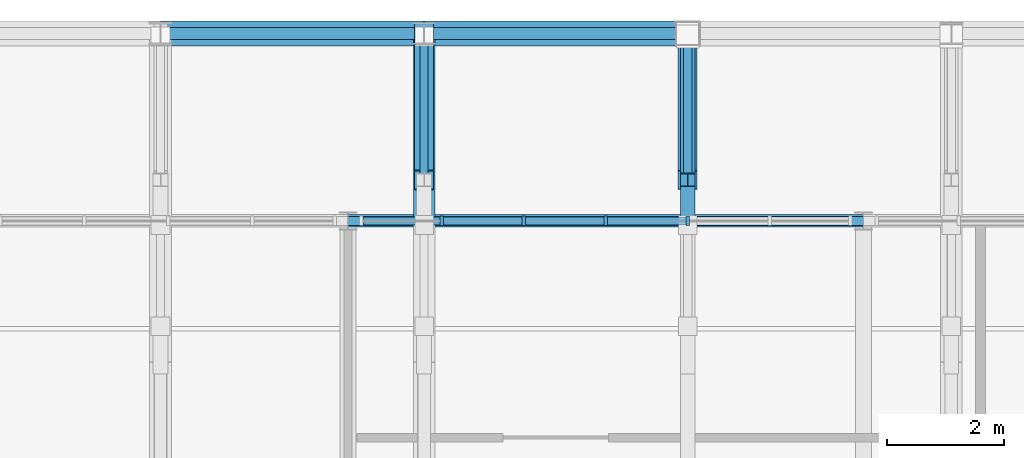
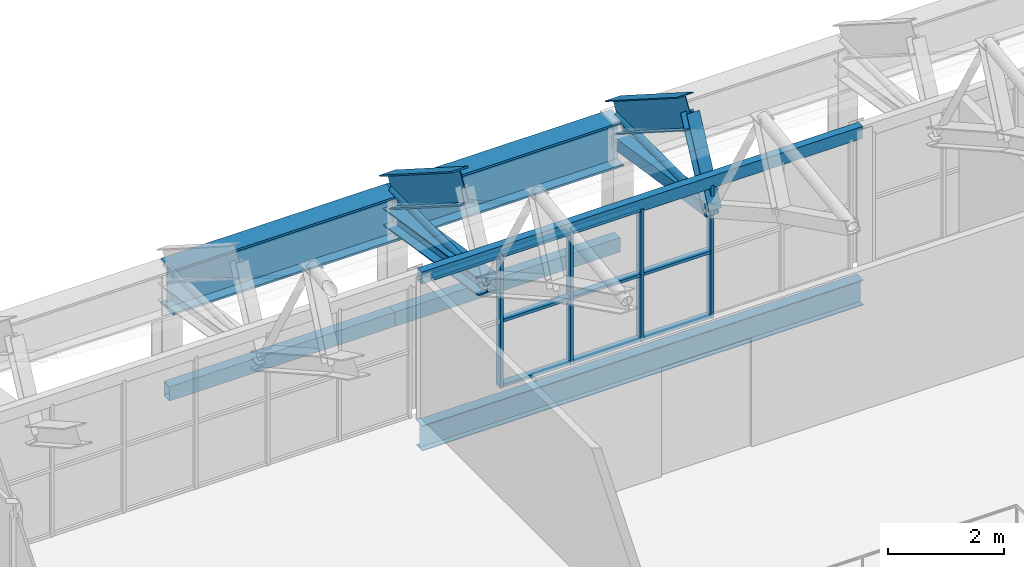
# One storey, part 58 of 134: 19 members, 8 beams, 1 element without a shape of its own.
"""IFC4 building model written with IfcOpenShell, lengths in metres."""

from ifc_helpers import new_model, si_unit, direction, frame, origin, origin_2d, place, context, subcontext, project, spatial, rectangle, hollow_rectangle, hollow_circle, i_section, extrude, material, layer, layer_set, material_profile, profile_set, type_object, element, aggregate, save


model = new_model("IFC4")

# Units and contexts
model_context = context("Model", 3, precision=1e-05, world=origin(), true_north=direction((0.0, 1.0)))
body_context = subcontext(model_context, "Body", "Model", "MODEL_VIEW")
ifc_project = project(units=[si_unit("LENGTHUNIT", "METRE"), si_unit("AREAUNIT", "SQUARE_METRE"), si_unit("VOLUMEUNIT", "CUBIC_METRE"), si_unit("PLANEANGLEUNIT", "RADIAN"), si_unit("MASSUNIT", "GRAM", prefix="KILO")], contexts=[model_context])

# Site, building, storey
site_placement = place(None, origin())
site = spatial("IfcSite", under=ifc_project, at=site_placement, CompositionType="ELEMENT")
building_placement = place(site_placement, origin())
building = spatial("IfcBuilding", under=site, at=building_placement, Name="Cazmaro Siding Exhibition Halls", CompositionType="ELEMENT")
storey_placement = place(building_placement, frame((0.0, 0.0, 12.0)))
storey = spatial("IfcBuildingStorey", under=building, at=storey_placement, Name="L02", CompositionType="ELEMENT", Elevation=12.0)

# Beams
ifc_material_1 = material(Name="Steel ASTM A992 Grade 50", Category="steel")
ifc_material_profile_1 = material_profile(ifc_material_1, i_section(OverallWidth=0.327880859375, OverallDepth=0.626953125, WebThickness=0.01708984375, FlangeThickness=0.028076171875, at=origin_2d()), Name="W24X146")
ifc_profile_set_1 = profile_set([ifc_material_profile_1], Name="Steel ASTM A992 Grade 50")
beam_type_1 = type_object("IfcBeamType", Name="AR-01", PredefinedType="USERDEFINED", material=ifc_profile_set_1)
beam_1_placement = place(storey_placement, frame((58.5, 121.5, 3.89306640625), z_axis=(0.0, 0.843339173298, -0.537381650954), x_axis=(-1.0, 0.0, 0.0)))
element("IfcBeam", 1, at=beam_1_placement, inside=storey, type_object=beam_type_1, Name="Space frame barrel vault arched rib AR-01 BM-0630", ObjectType="ARCHED RIB", PredefinedType="USERDEFINED", context=body_context, shape_type="SweptSolid", body=[
    extrude(i_section(OverallWidth=0.327880859375, OverallDepth=0.626953125, WebThickness=0.01708984375, FlangeThickness=0.028076171875, at=origin_2d()), origin(), (0.0, 0.0, 1.0), 2.96435546875),
])
ifc_material_2 = material(Name="Steel ASTM A992 Grade 50", Category="steel")
ifc_material_profile_2 = material_profile(ifc_material_2, i_section(OverallWidth=0.324951171875, OverallDepth=0.612060546875, WebThickness=0.012939453125, FlangeThickness=0.01904296875, at=origin_2d()), Name="W24X104")
ifc_profile_set_2 = profile_set([ifc_material_profile_2], Name="Steel ASTM A992 Grade 50")
beam_type_2 = type_object("IfcBeamType", Name="AR-02", PredefinedType="USERDEFINED", material=ifc_profile_set_2)
beam_2_placement = place(storey_placement, frame((63.0, 121.5, 3.89306640625), z_axis=(0.0, 0.843339173298, -0.537381650954), x_axis=(-1.0, 0.0, 0.0)))
element("IfcBeam", 2, at=beam_2_placement, inside=storey, type_object=beam_type_2, Name="Space frame barrel vault arched rib AR-02 BM-0654", ObjectType="ARCHED RIB", PredefinedType="USERDEFINED", context=body_context, shape_type="SweptSolid", body=[
    extrude(i_section(OverallWidth=0.324951171875, OverallDepth=0.612060546875, WebThickness=0.012939453125, FlangeThickness=0.01904296875, at=origin_2d()), origin(), (0.0, 0.0, 1.0), 2.96435546875),
])
ifc_material_3 = material(Name="Steel ASTM A992 Grade 50", Category="steel")
ifc_material_profile_3 = material_profile(ifc_material_3, i_section(OverallWidth=0.2099609375, OverallDepth=0.535888671875, WebThickness=0.010986328125, FlangeThickness=0.01708984375, at=origin_2d()), Name="W21X68")
ifc_profile_set_3 = profile_set([ifc_material_profile_3], Name="Steel ASTM A992 Grade 50")
beam_type_3 = type_object("IfcBeamType", Name="B-02", PredefinedType="BEAM", material=ifc_profile_set_3)
beam_3_placement = place(storey_placement, frame((57.199951171875, 120.800048828125, -0.488037109375), z_axis=(1.0, 0.0, 0.0), x_axis=(0.0, 1.0, 0.0)))
element("IfcBeam", 3, at=beam_3_placement, inside=storey, type_object=beam_type_3, Name="Beam B-02 BM-0402", PredefinedType="BEAM", context=body_context, shape_type="SweptSolid", body=[
    extrude(i_section(OverallWidth=0.2099609375, OverallDepth=0.535888671875, WebThickness=0.010986328125, FlangeThickness=0.01708984375, at=origin_2d()), origin(), (0.0, 0.0, 1.0), 8.800048828125),
])

# Curtain wall, members
ifc_material_4 = material(Name="Anodized Bronze Aluminum and Solar-Control Low-E Glazing", Category="aluminium")
ifc_layer = layer(ifc_material_4, 0.159912109375)
ifc_layer_set = layer_set([ifc_layer], Name="Anodized Bronze Aluminum and Solar-Control Low-E Glazing")
curtain_wall_type = type_object("IfcCurtainWallType", Name="CWS-04", PredefinedType="USERDEFINED", material=ifc_layer_set)
curtain_wall_placement = place(storey_placement, origin())
curtain_wall = element("IfcCurtainWall", 4, at=curtain_wall_placement, inside=storey, type_object=curtain_wall_type, Name="Clerestory Curtain Wall CWS-04 CW-007", ObjectType="CLERESTORY CURTAIN WALL", PredefinedType="USERDEFINED")
ifc_material_5 = material(Name="Anodized Bronze Extruded Aluminum", Category="aluminium")
ifc_material_profile_4 = material_profile(ifc_material_5, rectangle(XDim=0.159912109375, YDim=0.06005859375, at=origin_2d()), Name="CWM-04")
ifc_profile_set_4 = profile_set([ifc_material_profile_4], Name="Anodized Bronze Extruded Aluminum")
member_type_1 = type_object("IfcMemberType", Name="CWM-04", PredefinedType="MULLION", material=ifc_profile_set_4)
member_1_placement = place(storey_placement, frame((63.0009765625, 120.800048828125, 0.0), z_axis=(0.0, 0.0, 1.0), x_axis=(0.0, -1.0, 0.0)))
member_1 = element("IfcMember", 5, at=member_1_placement, type_object=member_type_1, Name="CWS-04 mullion 3", PredefinedType="MULLION", context=body_context, shape_type="SweptSolid", body=[
    extrude(rectangle(XDim=0.159912109375, YDim=0.06005859375, at=origin_2d()), origin(), (0.0, 0.0, 1.0), 2.800048828125),
])
member_2_placement = place(storey_placement, frame((61.60009765625, 120.800048828125, 0.0), z_axis=(0.0, 0.0, 1.0), x_axis=(0.0, -1.0, 0.0)))
member_2 = element("IfcMember", 6, at=member_2_placement, type_object=member_type_1, Name="CWS-04 mullion 4", PredefinedType="MULLION", context=body_context, shape_type="SweptSolid", body=[
    extrude(rectangle(XDim=0.159912109375, YDim=0.06005859375, at=origin_2d()), origin(), (0.0, 0.0, 1.0), 2.800048828125),
])
member_3_placement = place(storey_placement, frame((60.198974609375, 120.800048828125, 0.0), z_axis=(0.0, 0.0, 1.0), x_axis=(0.0, -1.0, 0.0)))
member_3 = element("IfcMember", 7, at=member_3_placement, type_object=member_type_1, Name="CWS-04 mullion 5", PredefinedType="MULLION", context=body_context, shape_type="SweptSolid", body=[
    extrude(rectangle(XDim=0.159912109375, YDim=0.06005859375, at=origin_2d()), origin(), (0.0, 0.0, 1.0), 2.800048828125),
])
member_4_placement = place(storey_placement, frame((58.798095703125, 120.800048828125, 0.0), z_axis=(0.0, 0.0, 1.0), x_axis=(0.0, -1.0, 0.0)))
member_4 = element("IfcMember", 8, at=member_4_placement, type_object=member_type_1, Name="CWS-04 mullion 6", PredefinedType="MULLION", context=body_context, shape_type="SweptSolid", body=[
    extrude(rectangle(XDim=0.159912109375, YDim=0.06005859375, at=origin_2d()), origin(), (0.0, 0.0, 1.0), 2.800048828125),
])
ifc_material_6 = material(Name="Anodized Bronze Extruded Aluminum", Category="aluminium")
ifc_material_profile_5 = material_profile(ifc_material_6, rectangle(XDim=0.139892578125, YDim=0.06005859375, at=origin_2d()), Name="CWT-04")
ifc_profile_set_5 = profile_set([ifc_material_profile_5], Name="Anodized Bronze Extruded Aluminum")
member_type_2 = type_object("IfcMemberType", Name="CWT-04", PredefinedType="MULLION", material=ifc_profile_set_5)
member_5_placement = place(storey_placement, frame((62.970947265625, 120.800048828125, 0.030029296875), z_axis=(-1.0, 0.0, 0.0), x_axis=(0.0, -1.0, 0.0)))
member_5 = element("IfcMember", 9, at=member_5_placement, type_object=member_type_2, Name="CWS-04 transom 3.1", ObjectType="TRANSOM", PredefinedType="USERDEFINED", context=body_context, shape_type="SweptSolid", body=[
    extrude(rectangle(XDim=0.139892578125, YDim=0.06005859375, at=origin_2d()), origin(), (0.0, 0.0, 1.0), 1.341064453125),
])
member_6_placement = place(storey_placement, frame((62.970947265625, 120.800048828125, 1.39990234375), z_axis=(-1.0, 0.0, 0.0), x_axis=(0.0, -1.0, 0.0)))
member_6 = element("IfcMember", 10, at=member_6_placement, type_object=member_type_2, Name="CWS-04 transom 3.2", ObjectType="TRANSOM", PredefinedType="USERDEFINED", context=body_context, shape_type="SweptSolid", body=[
    extrude(rectangle(XDim=0.139892578125, YDim=0.06005859375, at=origin_2d()), origin(), (0.0, 0.0, 1.0), 1.341064453125),
])
member_7_placement = place(storey_placement, frame((62.970947265625, 120.800048828125, 2.77001953125), z_axis=(-1.0, 0.0, 0.0), x_axis=(0.0, -1.0, 0.0)))
member_7 = element("IfcMember", 11, at=member_7_placement, type_object=member_type_2, Name="CWS-04 transom 3.3", ObjectType="TRANSOM", PredefinedType="USERDEFINED", context=body_context, shape_type="SweptSolid", body=[
    extrude(rectangle(XDim=0.139892578125, YDim=0.06005859375, at=origin_2d()), origin(), (0.0, 0.0, 1.0), 1.341064453125),
])
member_8_placement = place(storey_placement, frame((61.570068359375, 120.800048828125, 0.030029296875), z_axis=(-1.0, 0.0, 0.0), x_axis=(0.0, -1.0, 0.0)))
member_8 = element("IfcMember", 12, at=member_8_placement, type_object=member_type_2, Name="CWS-04 transom 4.1", ObjectType="TRANSOM", PredefinedType="USERDEFINED", context=body_context, shape_type="SweptSolid", body=[
    extrude(rectangle(XDim=0.139892578125, YDim=0.06005859375, at=origin_2d()), origin(), (0.0, 0.0, 1.0), 1.341064453125),
])
member_9_placement = place(storey_placement, frame((61.570068359375, 120.800048828125, 1.39990234375), z_axis=(-1.0, 0.0, 0.0), x_axis=(0.0, -1.0, 0.0)))
member_9 = element("IfcMember", 13, at=member_9_placement, type_object=member_type_2, Name="CWS-04 transom 4.2", ObjectType="TRANSOM", PredefinedType="USERDEFINED", context=body_context, shape_type="SweptSolid", body=[
    extrude(rectangle(XDim=0.139892578125, YDim=0.06005859375, at=origin_2d()), origin(), (0.0, 0.0, 1.0), 1.341064453125),
])
member_10_placement = place(storey_placement, frame((61.570068359375, 120.800048828125, 2.77001953125), z_axis=(-1.0, 0.0, 0.0), x_axis=(0.0, -1.0, 0.0)))
member_10 = element("IfcMember", 14, at=member_10_placement, type_object=member_type_2, Name="CWS-04 transom 4.3", ObjectType="TRANSOM", PredefinedType="USERDEFINED", context=body_context, shape_type="SweptSolid", body=[
    extrude(rectangle(XDim=0.139892578125, YDim=0.06005859375, at=origin_2d()), origin(), (0.0, 0.0, 1.0), 1.341064453125),
])
member_11_placement = place(storey_placement, frame((60.1689453125, 120.800048828125, 0.030029296875), z_axis=(-1.0, 0.0, 0.0), x_axis=(0.0, -1.0, 0.0)))
member_11 = element("IfcMember", 15, at=member_11_placement, type_object=member_type_2, Name="CWS-04 transom 5.1", ObjectType="TRANSOM", PredefinedType="USERDEFINED", context=body_context, shape_type="SweptSolid", body=[
    extrude(rectangle(XDim=0.139892578125, YDim=0.06005859375, at=origin_2d()), origin(), (0.0, 0.0, 1.0), 1.341064453125),
])
member_12_placement = place(storey_placement, frame((60.1689453125, 120.800048828125, 1.39990234375), z_axis=(-1.0, 0.0, 0.0), x_axis=(0.0, -1.0, 0.0)))
member_12 = element("IfcMember", 16, at=member_12_placement, type_object=member_type_2, Name="CWS-04 transom 5.2", ObjectType="TRANSOM", PredefinedType="USERDEFINED", context=body_context, shape_type="SweptSolid", body=[
    extrude(rectangle(XDim=0.139892578125, YDim=0.06005859375, at=origin_2d()), origin(), (0.0, 0.0, 1.0), 1.341064453125),
])
member_13_placement = place(storey_placement, frame((60.1689453125, 120.800048828125, 2.77001953125), z_axis=(-1.0, 0.0, 0.0), x_axis=(0.0, -1.0, 0.0)))
member_13 = element("IfcMember", 17, at=member_13_placement, type_object=member_type_2, Name="CWS-04 transom 5.3", ObjectType="TRANSOM", PredefinedType="USERDEFINED", context=body_context, shape_type="SweptSolid", body=[
    extrude(rectangle(XDim=0.139892578125, YDim=0.06005859375, at=origin_2d()), origin(), (0.0, 0.0, 1.0), 1.341064453125),
])
member_14_placement = place(storey_placement, frame((58.76806640625, 120.800048828125, 2.77001953125), z_axis=(-1.0, 0.0, 0.0), x_axis=(0.0, -1.0, 0.0)))
member_14 = element("IfcMember", 18, at=member_14_placement, type_object=member_type_2, Name="CWS-04 transom 6.3", ObjectType="TRANSOM", PredefinedType="USERDEFINED", context=body_context, shape_type="SweptSolid", body=[
    extrude(rectangle(XDim=0.139892578125, YDim=0.06005859375, at=origin_2d()), origin(), (0.0, 0.0, 1.0), 1.31103515625),
])
aggregate(curtain_wall, [member_1, member_2, member_3, member_4, member_5, member_6, member_7, member_8, member_9, member_10, member_11, member_12, member_13, member_14])

# Beams
ifc_material_7 = material(Name="Steel ASTM A992 Grade 50", Category="steel")
ifc_material_profile_6 = material_profile(ifc_material_7, i_section(OverallWidth=0.424072265625, OverallDepth=0.947021484375, WebThickness=0.02392578125, FlangeThickness=0.04296875, at=origin_2d()), Name="W36X302")
ifc_profile_set_6 = profile_set([ifc_material_profile_6], Name="Steel ASTM A992 Grade 50")
beam_type_4 = type_object("IfcBeamType", Name="G-01", PredefinedType="USERDEFINED", material=ifc_profile_set_6)
for number, where, z_axis, x_axis, name in (
    (19, (54.0, 124.0, 1.826904296875), (1.0, 0.0, 0.0), (0.0, 1.0, 0.0), "Beam G-01 BM-0078"),
    (20, (58.5, 124.0, 1.826904296875), (1.0, 0.0, 0.0), (0.0, 1.0, 0.0), "Beam G-01 BM-0084"),
):
    element("IfcBeam", number, at=place(storey_placement, frame(where, z_axis=z_axis, x_axis=x_axis)), inside=storey, type_object=beam_type_4, Name=name, ObjectType="GIRDER", PredefinedType="USERDEFINED", context=body_context, shape_type="SweptSolid", body=[
        extrude(i_section(OverallWidth=0.424072265625, OverallDepth=0.947021484375, WebThickness=0.02392578125, FlangeThickness=0.04296875, at=origin_2d()), origin(), (0.0, 0.0, 1.0), 4.5),
    ])
ifc_material_8 = material(Name="Steel ASTM A500 Grade C", Category="steel")
ifc_material_profile_7 = material_profile(ifc_material_8, hollow_rectangle(XDim=0.202880859375, YDim=0.304931640625, WallThickness=0.011962890625, at=origin_2d()), Name="HSS12X8X1/2")
ifc_profile_set_7 = profile_set([ifc_material_profile_7], Name="Steel ASTM A500 Grade C")
beam_type_5 = type_object("IfcBeamType", Name="SP-01", PredefinedType="SPANDREL", material=ifc_profile_set_7)
for number, where, z_axis, x_axis, name in (
    (21, (54.0, 124.0, -0.373046875), (1.0, 0.0, 0.0), (0.0, 1.0, 0.0), "Beam SP-01 BM-0077"),
    (22, (58.5, 124.0, -0.373046875), (1.0, 0.0, 0.0), (0.0, 1.0, 0.0), "Beam SP-01 BM-0083"),
):
    element("IfcBeam", number, at=place(storey_placement, frame(where, z_axis=z_axis, x_axis=x_axis)), inside=storey, type_object=beam_type_5, Name=name, PredefinedType="SPANDREL", context=body_context, shape_type="SweptSolid", body=[
        extrude(hollow_rectangle(XDim=0.202880859375, YDim=0.304931640625, WallThickness=0.011962890625, at=origin_2d()), origin(), (0.0, 0.0, 1.0), 4.5),
    ])
ifc_material_9 = material(Name="Steel ASTM A500 Grade C", Category="steel")
ifc_material_profile_8 = material_profile(ifc_material_9, hollow_rectangle(XDim=0.152099609375, YDim=0.25390625, WallThickness=0.011962890625, at=origin_2d()), Name="HSS10X6X1/2")
ifc_profile_set_8 = profile_set([ifc_material_profile_8], Name="Steel ASTM A500 Grade C")
beam_type_6 = type_object("IfcBeamType", Name="SP-02", PredefinedType="SPANDREL", material=ifc_profile_set_8)
beam_4_placement = place(storey_placement, frame((57.199951171875, 120.800048828125, 2.873046875), z_axis=(1.0, 0.0, 0.0), x_axis=(0.0, 1.0, 0.0)))
element("IfcBeam", 23, at=beam_4_placement, inside=storey, type_object=beam_type_6, Name="Beam SP-02 BM-0230", PredefinedType="SPANDREL", context=body_context, shape_type="SweptSolid", body=[
    extrude(hollow_rectangle(XDim=0.152099609375, YDim=0.25390625, WallThickness=0.011962890625, at=origin_2d()), origin(), (0.0, 0.0, 1.0), 8.800048828125),
])

# Members
ifc_material_10 = material(Name="Steel ASTM A500 Grade C", Category="steel")
ifc_material_profile_9 = material_profile(ifc_material_10, hollow_rectangle(XDim=0.25390625, YDim=0.25390625, WallThickness=0.014892578125, at=origin_2d()), Name="HSS10X10X5/8")
ifc_profile_set_9 = profile_set([ifc_material_profile_9], Name="Steel ASTM A500 Grade C")
member_type_3 = type_object("IfcMemberType", Name="TC-01", PredefinedType="CHORD", material=ifc_profile_set_9)
member_15_placement = place(storey_placement, frame((63.0, 120.72900390625, 2.305908203125), z_axis=(0.0, 0.988252010809, -0.152833121839), x_axis=(-1.0, 0.0, 0.0)))
element("IfcMember", 24, at=member_15_placement, inside=storey, type_object=member_type_3, Name="Space frame barrel vault bottom chord TC-01 MEM-0283", PredefinedType="CHORD", context=body_context, shape_type="SweptSolid", body=[
    extrude(hollow_rectangle(XDim=0.25390625, YDim=0.25390625, WallThickness=0.014892578125, at=origin_2d()), origin(), (0.0, 0.0, 1.0), 3.309814453125),
])
ifc_material_11 = material(Name="Steel ASTM A992 Grade 50", Category="steel")
ifc_material_profile_10 = material_profile(ifc_material_11, i_section(OverallWidth=0.37109375, OverallDepth=0.364013671875, WebThickness=0.012939453125, FlangeThickness=0.02197265625, at=origin_2d()), Name="W14X109")
ifc_profile_set_10 = profile_set([ifc_material_profile_10], Name="Steel ASTM A992 Grade 50")
member_type_4 = type_object("IfcMemberType", Name="TC-06", PredefinedType="CHORD", material=ifc_profile_set_10)
member_16_placement = place(storey_placement, frame((58.5, 120.72900390625, 2.305908203125), z_axis=(0.0, 0.988252010809, -0.152833121839), x_axis=(-1.0, 0.0, 0.0)))
element("IfcMember", 25, at=member_16_placement, inside=storey, type_object=member_type_4, Name="Space frame barrel vault bottom chord TC-06 MEM-0212", PredefinedType="CHORD", context=body_context, shape_type="SweptSolid", body=[
    extrude(i_section(OverallWidth=0.37109375, OverallDepth=0.364013671875, WebThickness=0.012939453125, FlangeThickness=0.02197265625, at=origin_2d()), origin(), (0.0, 0.0, 1.0), 3.309814453125),
])
ifc_material_12 = material(Name="Steel ASTM A992 Grade 50", Category="steel")
ifc_material_profile_11 = material_profile(ifc_material_12, i_section(OverallWidth=0.25390625, OverallDepth=0.25390625, WebThickness=0.009033203125, FlangeThickness=0.013916015625, at=origin_2d()), Name="W10X49")
ifc_profile_set_11 = profile_set([ifc_material_profile_11], Name="Steel ASTM A992 Grade 50")
member_type_5 = type_object("IfcMemberType", Name="TP-04", PredefinedType="POST", material=ifc_profile_set_11)
member_17_placement = place(storey_placement, frame((63.0, 120.72900390625, 2.305908203125), z_axis=(0.0, 0.436945543824, 0.89948796086), x_axis=(-1.0, 0.0, 0.0)))
element("IfcMember", 26, at=member_17_placement, inside=storey, type_object=member_type_5, Name="Space frame barrel vault post TP-04 MEM-0307", PredefinedType="POST", context=body_context, shape_type="SweptSolid", body=[
    extrude(i_section(OverallWidth=0.25390625, OverallDepth=0.25390625, WebThickness=0.009033203125, FlangeThickness=0.013916015625, at=origin_2d()), origin(), (0.0, 0.0, 1.0), 1.764404296875),
])
ifc_material_13 = material(Name="Steel ASTM A500 Grade C", Category="steel")
ifc_material_profile_12 = material_profile(ifc_material_13, hollow_circle(Radius=0.070556640625, WallThickness=0.01904296875, at=origin_2d()), Name="PIPE5XXS")
ifc_profile_set_12 = profile_set([ifc_material_profile_12], Name="Steel ASTM A500 Grade C")
member_type_6 = type_object("IfcMemberType", Name="WB-07", PredefinedType="BRACE", material=ifc_profile_set_12)
for number, where, z_axis, x_axis, name in (
    (27, (58.5, 120.72900390625, 2.305908203125), (0.0, 0.999998395604, -0.001791309262), (-1.0, 0.0, 0.0), "Space frame barrel vault diagonal WB-07 MEM-0213"),
    (28, (63.0, 120.72900390625, 2.305908203125), (0.0, 0.999998395604, -0.001791309262), (-1.0, 0.0, 0.0), "Space frame barrel vault diagonal WB-07 MEM-0284"),
):
    element("IfcMember", number, at=place(storey_placement, frame(where, z_axis=z_axis, x_axis=x_axis)), inside=storey, type_object=member_type_6, Name=name, PredefinedType="BRACE", context=body_context, shape_type="SweptSolid", body=[
        extrude(hollow_circle(Radius=0.070556640625, WallThickness=0.01904296875, at=origin_2d()), origin(), (0.0, 0.0, 1.0), 3.27099609375),
    ])

save(model, "model.ifc")
